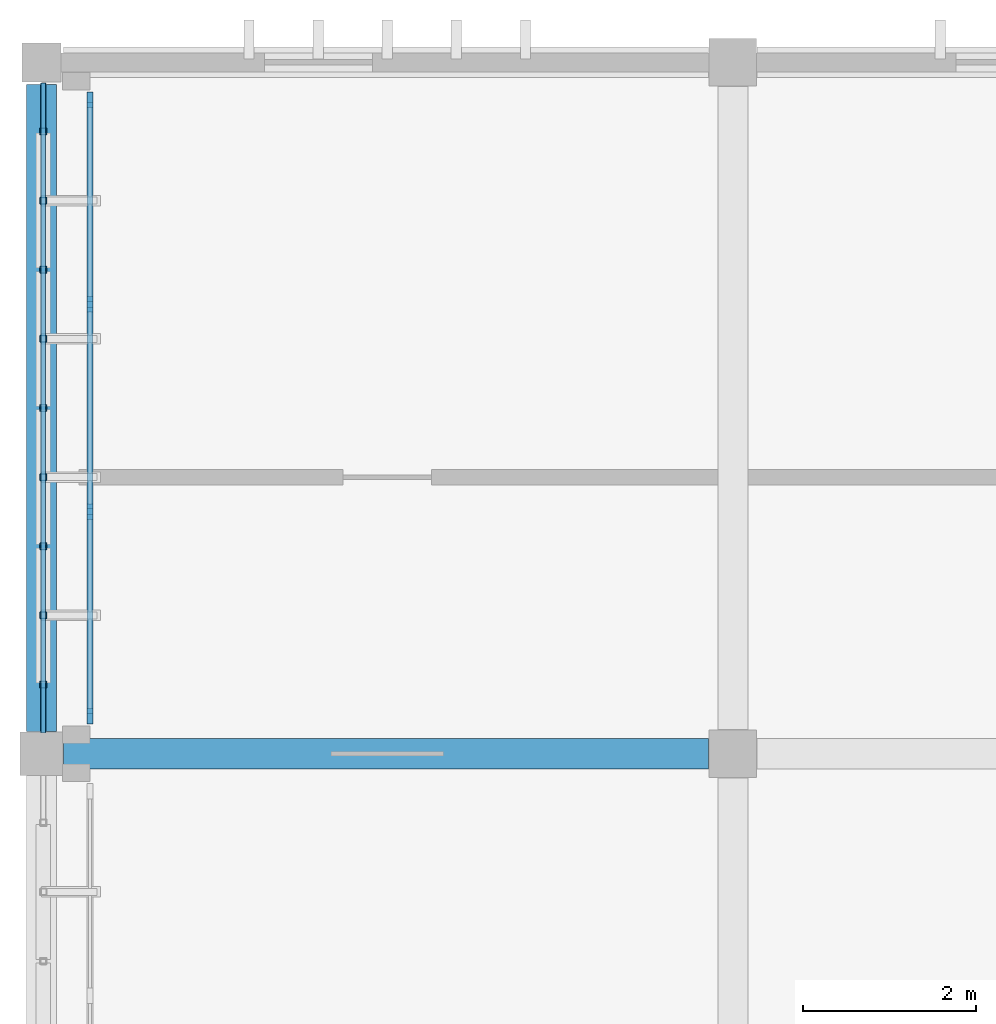
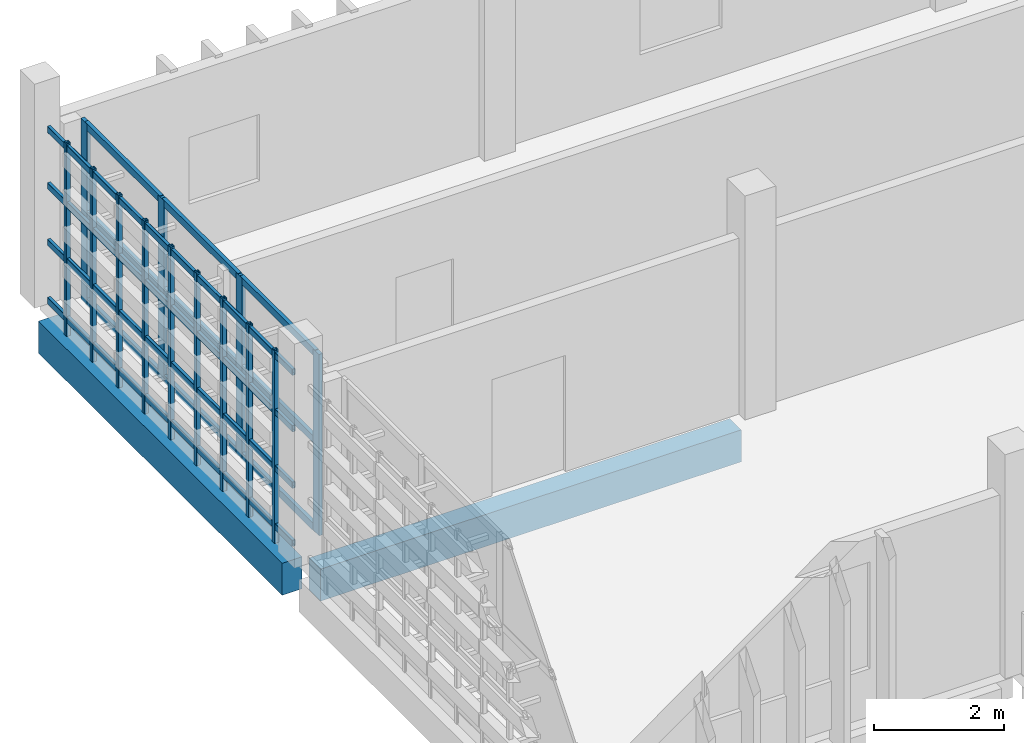
# One storey, part 4 of 32: 26 members, 2 beams, 1 element without a shape of its own.
"""IFC4 building model written with IfcOpenShell, lengths in metres."""

from ifc_helpers import new_model, si_unit, direction, frame, origin, origin_2d, place, context, subcontext, project, spatial, rectangle, hollow_rectangle, extrude, material, layer, layer_set, material_profile, profile_set, type_object, element, aggregate, save


model = new_model("IFC4")

# Units and contexts
model_context = context("Model", 3, precision=1e-05, world=origin(), true_north=direction((0.0, 1.0)))
body_context = subcontext(model_context, "Body", "Model", "MODEL_VIEW")
ifc_project = project(units=[si_unit("LENGTHUNIT", "METRE"), si_unit("AREAUNIT", "SQUARE_METRE"), si_unit("VOLUMEUNIT", "CUBIC_METRE"), si_unit("PLANEANGLEUNIT", "RADIAN"), si_unit("MASSUNIT", "GRAM", prefix="KILO")], contexts=[model_context])

# Site, building, storey
site_placement = place(None, origin())
site = spatial("IfcSite", under=ifc_project, at=site_placement, CompositionType="ELEMENT")
building_placement = place(site_placement, origin())
building = spatial("IfcBuilding", under=site, at=building_placement, Name="Jelvoka-Kovrelna Polytechnic", CompositionType="ELEMENT")
storey_placement = place(building_placement, frame((0.0, 0.0, 26.39990234375)))
storey = spatial("IfcBuildingStorey", under=building, at=storey_placement, Name="L07", CompositionType="ELEMENT", Elevation=26.39990234375)

# Beams
ifc_material_1 = material(Name="Concrete C35/45", Category="concrete")
ifc_material_profile_1 = material_profile(ifc_material_1, rectangle(XDim=0.35009765625, YDim=0.60009765625, at=origin_2d()), Name="RC 350x600")
ifc_profile_set_1 = profile_set([ifc_material_profile_1], Name="Concrete C35/45")
beam_type = type_object("IfcBeamType", Name="Beam_RC_350x600", PredefinedType="BEAM", material=ifc_profile_set_1)
beam_1_placement = place(storey_placement, frame((64.2548828125, 64.0, -0.539794921875), z_axis=(1.0, 0.0, 0.0), x_axis=(0.0, 1.0, 0.0)))
element("IfcBeam", 1, at=beam_1_placement, inside=storey, type_object=beam_type, Name="L07 beam 1833", PredefinedType="BEAM", context=body_context, shape_type="SweptSolid", body=[
    extrude(rectangle(XDim=0.35009765625, YDim=0.60009765625, at=origin_2d()), origin(), (0.0, 0.0, 1.0), 7.465087890625),
])
beam_2_placement = place(storey_placement, frame((64.0, 64.2548828125, -0.539794921875), z_axis=(0.0, 1.0, 0.0), x_axis=(-1.0, 0.0, 0.0)))
element("IfcBeam", 2, at=beam_2_placement, inside=storey, type_object=beam_type, Name="L07 beam 1845", PredefinedType="BEAM", context=body_context, shape_type="SweptSolid", body=[
    extrude(rectangle(XDim=0.35009765625, YDim=0.60009765625, at=origin_2d()), origin(), (0.0, 0.0, 1.0), 7.490234375),
])

# Members
ifc_material_2 = material(Name="Structural steel S355J2H", Category="steel")
ifc_material_profile_2 = material_profile(ifc_material_2, hollow_rectangle(XDim=0.06005859375, YDim=0.1201171875, WallThickness=0.0048828125, InnerFilletRadius=0.0048828125, OuterFilletRadius=0.007568359375, at=origin_2d()), Name="120x60x5.0 RHS")
ifc_profile_set_2 = profile_set([ifc_material_profile_2], Name="Structural steel S355J2H")
member_type_1 = type_object("IfcMemberType", Name="Member_Strut_RHS120", PredefinedType="STRUT", material=ifc_profile_set_2)
for number, where, z_axis, x_axis, name in (
    (3, (64.02001953125, 64.239990234375, 0.080078125), (0.0, 1.0, 0.0), (-1.0, 0.0, 0.0), "L07 terracotta screen horizontal strut 0794"),
    (4, (64.02001953125, 64.239990234375, 1.17138671875), (0.0, 1.0, 0.0), (-1.0, 0.0, 0.0), "L07 terracotta screen horizontal strut 0795"),
    (5, (64.02001953125, 64.239990234375, 2.230712890625), (0.0, 1.0, 0.0), (-1.0, 0.0, 0.0), "L07 terracotta screen horizontal strut 0796"),
    (6, (64.02001953125, 64.239990234375, 3.2900390625), (0.0, 1.0, 0.0), (-1.0, 0.0, 0.0), "L07 terracotta screen horizontal strut 0797"),
):
    element("IfcMember", number, at=place(storey_placement, frame(where, z_axis=z_axis, x_axis=x_axis)), inside=storey, type_object=member_type_1, Name=name, PredefinedType="STRUT", context=body_context, shape_type="SweptSolid", body=[
        extrude(hollow_rectangle(XDim=0.06005859375, YDim=0.1201171875, WallThickness=0.0048828125, InnerFilletRadius=0.0048828125, OuterFilletRadius=0.007568359375, at=origin_2d()), origin(), (0.0, 0.0, 1.0), 7.52001953125),
    ])
ifc_material_3 = material(Name="Structural steel S355J2H", Category="steel")
ifc_material_profile_3 = material_profile(ifc_material_3, hollow_rectangle(XDim=0.080078125, YDim=0.080078125, WallThickness=0.0048828125, InnerFilletRadius=0.0048828125, OuterFilletRadius=0.007568359375, at=origin_2d()), Name="80x80x5.0 SHS")
ifc_profile_set_3 = profile_set([ifc_material_profile_3], Name="Structural steel S355J2H")
member_type_2 = type_object("IfcMemberType", Name="Member_Strut_SHS80", PredefinedType="STRUT", material=ifc_profile_set_3)
for number, where, z_axis, x_axis, name in (
    (7, (64.02001953125, 64.800048828125, -0.22998046875), (0.0, 0.0, 1.0), (1.0, 0.0, 0.0), "L07 terracotta lattice vertical rib 0798"),
    (8, (64.02001953125, 65.60009765625, -0.22998046875), (0.0, 0.0, 1.0), (1.0, 0.0, 0.0), "L07 terracotta lattice vertical rib 0799"),
    (9, (64.02001953125, 66.39990234375, -0.22998046875), (0.0, 0.0, 1.0), (1.0, 0.0, 0.0), "L07 terracotta lattice vertical rib 0800"),
    (10, (64.02001953125, 67.199951171875, -0.22998046875), (0.0, 0.0, 1.0), (1.0, 0.0, 0.0), "L07 terracotta lattice vertical rib 0801"),
    (11, (64.02001953125, 68.0, -0.22998046875), (0.0, 0.0, 1.0), (1.0, 0.0, 0.0), "L07 terracotta lattice vertical rib 0802"),
    (12, (64.02001953125, 68.800048828125, -0.22998046875), (0.0, 0.0, 1.0), (1.0, 0.0, 0.0), "L07 terracotta lattice vertical rib 0803"),
    (13, (64.02001953125, 69.60009765625, -0.22998046875), (0.0, 0.0, 1.0), (1.0, 0.0, 0.0), "L07 terracotta lattice vertical rib 0804"),
    (14, (64.02001953125, 70.39990234375, -0.22998046875), (0.0, 0.0, 1.0), (1.0, 0.0, 0.0), "L07 terracotta lattice vertical rib 0805"),
    (15, (64.02001953125, 71.199951171875, -0.22998046875), (0.0, 0.0, 1.0), (1.0, 0.0, 0.0), "L07 terracotta lattice vertical rib 0806"),
):
    element("IfcMember", number, at=place(storey_placement, frame(where, z_axis=z_axis, x_axis=x_axis)), inside=storey, type_object=member_type_2, Name=name, PredefinedType="STRUT", context=body_context, shape_type="SweptSolid", body=[
        extrude(hollow_rectangle(XDim=0.080078125, YDim=0.080078125, WallThickness=0.0048828125, InnerFilletRadius=0.0048828125, OuterFilletRadius=0.007568359375, at=origin_2d()), origin(), (0.0, 0.0, 1.0), 3.610107421875),
    ])

# Curtain wall, members
ifc_material_4 = material(Name="Anodised aluminium 6063-T6", Category="aluminium")
ifc_layer = layer(ifc_material_4, 0.179931640625)
ifc_layer_set = layer_set([ifc_layer], Name="Anodised aluminium 6063-T6")
curtain_wall_type = type_object("IfcCurtainWallType", Name="CW_Recessed_B", PredefinedType="NOTDEFINED", material=ifc_layer_set)
curtain_wall_placement = place(storey_placement, origin())
curtain_wall = element("IfcCurtainWall", 16, at=curtain_wall_placement, inside=storey, type_object=curtain_wall_type, Name="L07 glazed curtain wall 094", PredefinedType="NOTDEFINED")
ifc_material_5 = material(Name="Anodised aluminium 6063-T6", Category="aluminium")
ifc_material_profile_4 = material_profile(ifc_material_5, rectangle(XDim=0.06494140625, YDim=0.179931640625, at=origin_2d()), Name="ALU 65x180")
ifc_profile_set_4 = profile_set([ifc_material_profile_4], Name="Anodised aluminium 6063-T6")
member_type_3 = type_object("IfcMemberType", Name="Mullion_M-02", PredefinedType="MULLION", material=ifc_profile_set_4)
member_1_placement = place(storey_placement, frame((64.56005859375, 64.4326171875, -0.02490234375), z_axis=(0.0, 0.0, 1.0), x_axis=(-1.0, 0.0, 0.0)))
member_1 = element("IfcMember", 17, at=member_1_placement, type_object=member_type_3, Name="CW-02 mullion 1", PredefinedType="MULLION", context=body_context, shape_type="SweptSolid", body=[
    extrude(rectangle(XDim=0.06494140625, YDim=0.179931640625, at=origin_2d()), origin(), (0.0, 0.0, 1.0), 3.400146484375),
])
member_2_placement = place(storey_placement, frame((64.56005859375, 66.800048828125, -0.02490234375), z_axis=(0.0, 0.0, 1.0), x_axis=(-1.0, 0.0, 0.0)))
member_2 = element("IfcMember", 18, at=member_2_placement, type_object=member_type_3, Name="CW-02 mullion 2", PredefinedType="MULLION", context=body_context, shape_type="SweptSolid", body=[
    extrude(rectangle(XDim=0.06494140625, YDim=0.179931640625, at=origin_2d()), origin(), (0.0, 0.0, 1.0), 3.400146484375),
])
member_3_placement = place(storey_placement, frame((64.56005859375, 69.199951171875, -0.02490234375), z_axis=(0.0, 0.0, 1.0), x_axis=(-1.0, 0.0, 0.0)))
member_3 = element("IfcMember", 19, at=member_3_placement, type_object=member_type_3, Name="CW-02 mullion 3", PredefinedType="MULLION", context=body_context, shape_type="SweptSolid", body=[
    extrude(rectangle(XDim=0.06494140625, YDim=0.179931640625, at=origin_2d()), origin(), (0.0, 0.0, 1.0), 3.400146484375),
])
member_4_placement = place(storey_placement, frame((64.56005859375, 71.5673828125, -0.02490234375), z_axis=(0.0, 0.0, 1.0), x_axis=(-1.0, 0.0, 0.0)))
member_4 = element("IfcMember", 20, at=member_4_placement, type_object=member_type_3, Name="CW-02 mullion 4", PredefinedType="MULLION", context=body_context, shape_type="SweptSolid", body=[
    extrude(rectangle(XDim=0.06494140625, YDim=0.179931640625, at=origin_2d()), origin(), (0.0, 0.0, 1.0), 3.400146484375),
])
ifc_material_6 = material(Name="Anodised aluminium 6063-T6", Category="aluminium")
ifc_material_profile_5 = material_profile(ifc_material_6, rectangle(XDim=0.06494140625, YDim=0.135009765625, at=origin_2d()), Name="ALU 65x135")
ifc_profile_set_5 = profile_set([ifc_material_profile_5], Name="Anodised aluminium 6063-T6")
member_type_4 = type_object("IfcMemberType", Name="Transom_T-02", PredefinedType="USERDEFINED", material=ifc_profile_set_5)
member_5_placement = place(storey_placement, frame((64.56005859375, 64.465087890625, 0.03271484375), z_axis=(0.0, 1.0, 0.0), x_axis=(-1.0, 0.0, 0.0)))
member_5 = element("IfcMember", 21, at=member_5_placement, type_object=member_type_4, Name="CW-02 transom 1.1", ObjectType="TRANSOM", PredefinedType="USERDEFINED", context=body_context, shape_type="SweptSolid", body=[
    extrude(rectangle(XDim=0.06494140625, YDim=0.135009765625, at=origin_2d()), origin(), (0.0, 0.0, 1.0), 2.302490234375),
])
member_6_placement = place(storey_placement, frame((64.56005859375, 64.465087890625, 1.675048828125), z_axis=(0.0, 1.0, 0.0), x_axis=(-1.0, 0.0, 0.0)))
member_6 = element("IfcMember", 22, at=member_6_placement, type_object=member_type_4, Name="CW-02 transom 1.2", ObjectType="TRANSOM", PredefinedType="USERDEFINED", context=body_context, shape_type="SweptSolid", body=[
    extrude(rectangle(XDim=0.06494140625, YDim=0.135009765625, at=origin_2d()), origin(), (0.0, 0.0, 1.0), 2.302490234375),
])
member_7_placement = place(storey_placement, frame((64.56005859375, 64.465087890625, 3.317626953125), z_axis=(0.0, 1.0, 0.0), x_axis=(-1.0, 0.0, 0.0)))
member_7 = element("IfcMember", 23, at=member_7_placement, type_object=member_type_4, Name="CW-02 transom 1.3", ObjectType="TRANSOM", PredefinedType="USERDEFINED", context=body_context, shape_type="SweptSolid", body=[
    extrude(rectangle(XDim=0.06494140625, YDim=0.135009765625, at=origin_2d()), origin(), (0.0, 0.0, 1.0), 2.302490234375),
])
member_8_placement = place(storey_placement, frame((64.56005859375, 66.83251953125, 0.03271484375), z_axis=(0.0, 1.0, 0.0), x_axis=(-1.0, 0.0, 0.0)))
member_8 = element("IfcMember", 24, at=member_8_placement, type_object=member_type_4, Name="CW-02 transom 2.1", ObjectType="TRANSOM", PredefinedType="USERDEFINED", context=body_context, shape_type="SweptSolid", body=[
    extrude(rectangle(XDim=0.06494140625, YDim=0.135009765625, at=origin_2d()), origin(), (0.0, 0.0, 1.0), 2.3349609375),
])
member_9_placement = place(storey_placement, frame((64.56005859375, 66.83251953125, 1.675048828125), z_axis=(0.0, 1.0, 0.0), x_axis=(-1.0, 0.0, 0.0)))
member_9 = element("IfcMember", 25, at=member_9_placement, type_object=member_type_4, Name="CW-02 transom 2.2", ObjectType="TRANSOM", PredefinedType="USERDEFINED", context=body_context, shape_type="SweptSolid", body=[
    extrude(rectangle(XDim=0.06494140625, YDim=0.135009765625, at=origin_2d()), origin(), (0.0, 0.0, 1.0), 2.3349609375),
])
member_10_placement = place(storey_placement, frame((64.56005859375, 66.83251953125, 3.317626953125), z_axis=(0.0, 1.0, 0.0), x_axis=(-1.0, 0.0, 0.0)))
member_10 = element("IfcMember", 26, at=member_10_placement, type_object=member_type_4, Name="CW-02 transom 2.3", ObjectType="TRANSOM", PredefinedType="USERDEFINED", context=body_context, shape_type="SweptSolid", body=[
    extrude(rectangle(XDim=0.06494140625, YDim=0.135009765625, at=origin_2d()), origin(), (0.0, 0.0, 1.0), 2.3349609375),
])
member_11_placement = place(storey_placement, frame((64.56005859375, 69.232421875, 0.03271484375), z_axis=(0.0, 1.0, 0.0), x_axis=(-1.0, 0.0, 0.0)))
member_11 = element("IfcMember", 27, at=member_11_placement, type_object=member_type_4, Name="CW-02 transom 3.1", ObjectType="TRANSOM", PredefinedType="USERDEFINED", context=body_context, shape_type="SweptSolid", body=[
    extrude(rectangle(XDim=0.06494140625, YDim=0.135009765625, at=origin_2d()), origin(), (0.0, 0.0, 1.0), 2.302490234375),
])
member_12_placement = place(storey_placement, frame((64.56005859375, 69.232421875, 1.675048828125), z_axis=(0.0, 1.0, 0.0), x_axis=(-1.0, 0.0, 0.0)))
member_12 = element("IfcMember", 28, at=member_12_placement, type_object=member_type_4, Name="CW-02 transom 3.2", ObjectType="TRANSOM", PredefinedType="USERDEFINED", context=body_context, shape_type="SweptSolid", body=[
    extrude(rectangle(XDim=0.06494140625, YDim=0.135009765625, at=origin_2d()), origin(), (0.0, 0.0, 1.0), 2.302490234375),
])
member_13_placement = place(storey_placement, frame((64.56005859375, 69.232421875, 3.317626953125), z_axis=(0.0, 1.0, 0.0), x_axis=(-1.0, 0.0, 0.0)))
member_13 = element("IfcMember", 29, at=member_13_placement, type_object=member_type_4, Name="CW-02 transom 3.3", ObjectType="TRANSOM", PredefinedType="USERDEFINED", context=body_context, shape_type="SweptSolid", body=[
    extrude(rectangle(XDim=0.06494140625, YDim=0.135009765625, at=origin_2d()), origin(), (0.0, 0.0, 1.0), 2.302490234375),
])
aggregate(curtain_wall, [member_1, member_2, member_3, member_4, member_5, member_6, member_7, member_8, member_9, member_10, member_11, member_12, member_13])

save(model, "model.ifc")
